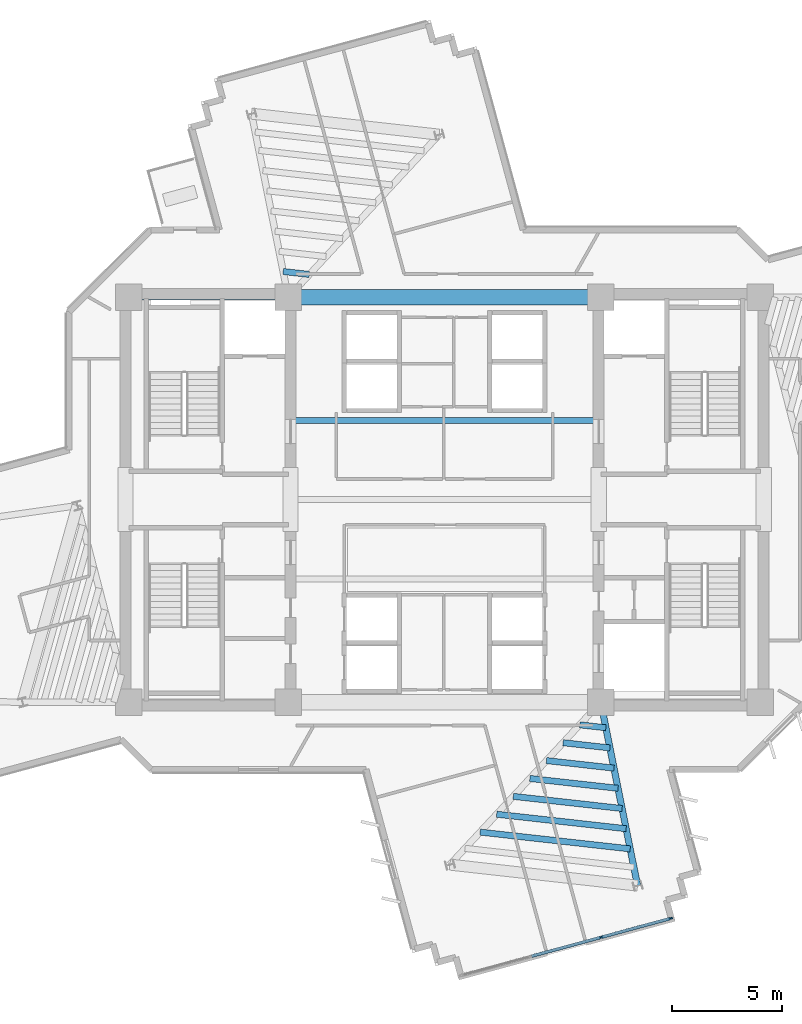
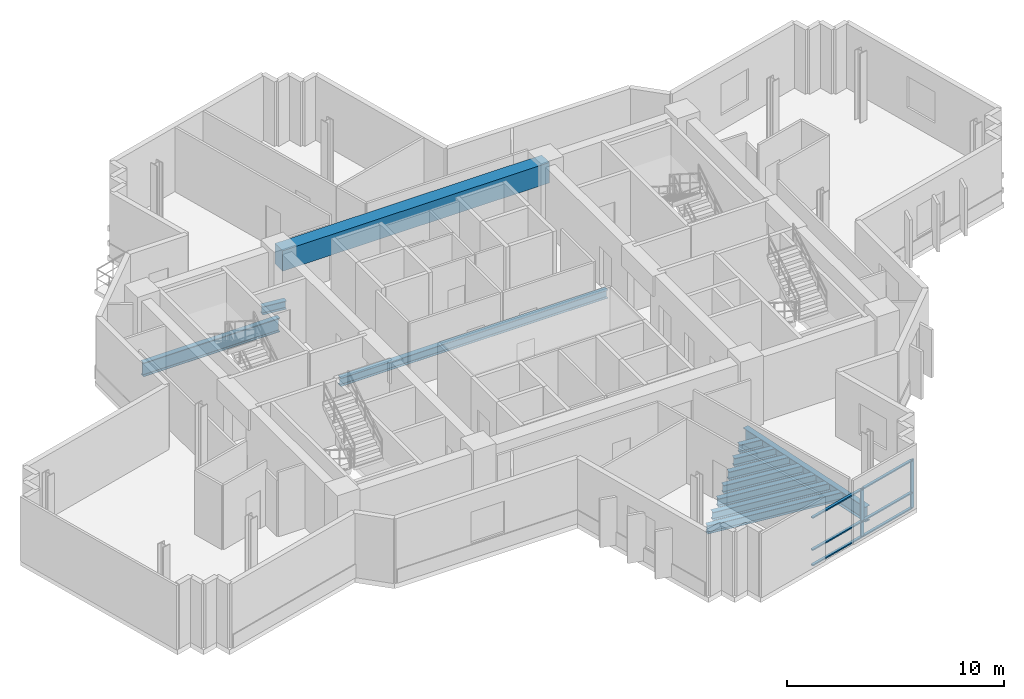
# One storey, part 5 of 15: 12 beams, 8 members, 1 element without a shape of its own.
"""IFC4 building model written with IfcOpenShell, lengths in metres."""

from ifc_helpers import new_model, si_unit, direction, frame, origin, origin_2d, place, context, subcontext, project, spatial, rectangle, i_section, extrude, source, transform, mapped, material, layer, layer_set, material_profile, profile_set, type_object, element, aggregate, save


model = new_model("IFC4")

# Units and contexts
model_context = context("Model", 3, precision=1e-05, world=origin(), true_north=direction((0.0, 1.0)))
body_context = subcontext(model_context, "Body", "Model", "MODEL_VIEW")
ifc_project = project(units=[si_unit("LENGTHUNIT", "METRE"), si_unit("AREAUNIT", "SQUARE_METRE"), si_unit("VOLUMEUNIT", "CUBIC_METRE"), si_unit("PLANEANGLEUNIT", "RADIAN"), si_unit("MASSUNIT", "GRAM", prefix="KILO")], contexts=[model_context])

# Site, building, storey
site_placement = place(None, origin())
site = spatial("IfcSite", under=ifc_project, at=site_placement, CompositionType="ELEMENT")
building_placement = place(site_placement, origin())
building = spatial("IfcBuilding", under=site, at=building_placement, Name="Zahravan Cultural Tower", CompositionType="ELEMENT")
storey_placement = place(building_placement, frame((0.0, 0.0, 194.10009765625)))
storey = spatial("IfcBuildingStorey", under=building, at=storey_placement, Name="L45", CompositionType="ELEMENT", Elevation=194.10009765625)

# Beams
ifc_material_1 = material(Name="Concrete C50/60", Category="concrete")
ifc_material_profile_1 = material_profile(ifc_material_1, rectangle(XDim=0.699951171875, YDim=1.14990234375, at=origin_2d()), Name="RC700X1150")
ifc_profile_set_1 = profile_set([ifc_material_profile_1], Name="Concrete C50/60")
beam_type_1 = type_object("IfcBeamType", Name="BM-LN-RC700X1150", PredefinedType="LINTEL", material=ifc_profile_set_1)
shared_shape_1 = source(origin(), body_context, "Body", "SweptSolid", [
    extrude(rectangle(XDim=0.699951171875, YDim=1.14990234375, at=origin_2d()), origin(), (0.0, 0.0, 1.0), 14.2001953125),
])
beam_1_placement = place(storey_placement, frame((28.89990234375, 36.199951171875, 3.044921875), z_axis=(1.0, 0.0, 0.0), x_axis=(0.0, 1.0, 0.0)))
element("IfcBeam", 1, at=beam_1_placement, inside=storey, type_object=beam_type_1, Name="L45 Beam LN-L45-N", PredefinedType="LINTEL", context=body_context, shape_type="MappedRepresentation", body=[
    mapped(shared_shape_1, transform((0.0, 0.0, 0.0), x_axis=(1.0, 0.0, 0.0), y_axis=(0.0, 1.0, 0.0), z_axis=(0.0, 0.0, 1.0), scale=1.0)),
])
ifc_material_2 = material(Name="Steel ASTM A992 Grade 50", Category="steel")
ifc_material_profile_2 = material_profile(ifc_material_2, i_section(OverallWidth=0.26611328125, OverallDepth=0.780029296875, WebThickness=0.0166015625, FlangeThickness=0.030029296875, FilletRadius=0.01904296875, at=origin_2d()), Name="W30X148")
ifc_profile_set_2 = profile_set([ifc_material_profile_2], Name="Steel ASTM A992 Grade 50")
beam_type_2 = type_object("IfcBeamType", Name="BM-G-W30X148", PredefinedType="BEAM", material=ifc_profile_set_2)
shared_shape_2 = source(origin(), body_context, "Body", "SweptSolid", [
    extrude(i_section(OverallWidth=0.26611328125, OverallDepth=0.780029296875, WebThickness=0.0166015625, FlangeThickness=0.030029296875, FilletRadius=0.01904296875, at=origin_2d()), origin(), (0.0, 0.0, 1.0), 7.25),
])
beam_2_placement = place(storey_placement, frame((21.64990234375, 36.199951171875, -0.670166015625), z_axis=(1.0, 0.0, 0.0), x_axis=(0.0, 1.0, 0.0)))
element("IfcBeam", 2, at=beam_2_placement, inside=storey, type_object=beam_type_2, Name="L45 Beam BG-L45-02", PredefinedType="BEAM", context=body_context, shape_type="MappedRepresentation", body=[
    mapped(shared_shape_2, transform((0.0, 0.0, 0.0), x_axis=(1.0, 0.0, 0.0), y_axis=(0.0, 1.0, 0.0), z_axis=(0.0, 0.0, 1.0), scale=1.0)),
])
ifc_material_profile_3 = material_profile(ifc_material_2, i_section(OverallWidth=0.29296875, OverallDepth=0.845947265625, WebThickness=0.015380859375, FlangeThickness=0.0244140625, FilletRadius=0.02001953125, at=origin_2d()), Name="W33X141")
ifc_profile_set_3 = profile_set([ifc_material_profile_3], Name="Steel ASTM A992 Grade 50")
beam_type_3 = type_object("IfcBeamType", Name="BM-G-W33X141", PredefinedType="BEAM", material=ifc_profile_set_3)
shared_shape_3 = source(origin(), body_context, "Body", "SweptSolid", [
    extrude(i_section(OverallWidth=0.29296875, OverallDepth=0.845947265625, WebThickness=0.015380859375, FlangeThickness=0.0244140625, FilletRadius=0.02001953125, at=origin_2d()), origin(), (0.0, 0.0, 1.0), 8.50732421875),
])
beam_3_placement = place(storey_placement, frame((43.10009765625, 17.800048828125, -0.703125), z_axis=(0.196524514012, -0.980498911469, 0.0), x_axis=(0.980498911469, 0.196524514012, 0.0)))
element("IfcBeam", 3, at=beam_3_placement, inside=storey, type_object=beam_type_3, Name="L45 Beam BG-L45-10", PredefinedType="BEAM", context=body_context, shape_type="MappedRepresentation", body=[
    mapped(shared_shape_3, transform((0.0, 0.0, 0.0), x_axis=(1.0, 0.0, 0.0), y_axis=(0.0, 1.0, 0.0), z_axis=(0.0, 0.0, 1.0), scale=1.0)),
])
ifc_material_profile_4 = material_profile(ifc_material_2, i_section(OverallWidth=0.280029296875, OverallDepth=0.462890625, WebThickness=0.0107421875, FlangeThickness=0.017333984375, FilletRadius=0.012939453125, at=origin_2d()), Name="W18X76")
ifc_profile_set_4 = profile_set([ifc_material_profile_4], Name="Steel ASTM A992 Grade 50")
beam_type_4 = type_object("IfcBeamType", Name="BM-J-W18X76", PredefinedType="JOIST", material=ifc_profile_set_4)
shared_shape_4 = source(origin(), body_context, "Body", "SweptSolid", [
    extrude(i_section(OverallWidth=0.280029296875, OverallDepth=0.462890625, WebThickness=0.0107421875, FlangeThickness=0.017333984375, FilletRadius=0.012939453125, at=origin_2d()), origin(), (0.0, 0.0, 1.0), 14.2001953125),
])
beam_4_placement = place(storey_placement, frame((28.89990234375, 30.60009765625, -0.51171875), z_axis=(1.0, 0.0, 0.0), x_axis=(0.0, 1.0, 0.0)))
element("IfcBeam", 4, at=beam_4_placement, inside=storey, type_object=beam_type_4, Name="L45 Beam BJ-L45-25", PredefinedType="JOIST", context=body_context, shape_type="MappedRepresentation", body=[
    mapped(shared_shape_4, transform((0.0, 0.0, 0.0), x_axis=(1.0, 0.0, 0.0), y_axis=(0.0, 1.0, 0.0), z_axis=(0.0, 0.0, 1.0), scale=1.0)),
])
shared_shape_5 = source(origin(), body_context, "Body", "SweptSolid", [
    extrude(i_section(OverallWidth=0.280029296875, OverallDepth=0.462890625, WebThickness=0.0107421875, FlangeThickness=0.017333984375, FilletRadius=0.012939453125, at=origin_2d()), origin(), (0.0, 0.0, 1.0), 1.201171875),
])
for number, where, z_axis, x_axis, name in (
    (5, (42.140380859375, 16.765625, -0.51171875), (0.99379916149, -0.111190047317, 0.0), (0.111190047317, 0.99379916149, 0.0), "L45 Beam BJ-L45-34"),
    (6, (29.859619140625, 37.234375, -0.51171875), (-0.99379916149, 0.111190047317, 0.0), (-0.111190047317, -0.99379916149, 0.0), "L45 Beam BJ-L45-50"),
):
    element("IfcBeam", number, at=place(storey_placement, frame(where, z_axis=z_axis, x_axis=x_axis)), inside=storey, type_object=beam_type_4, Name=name, PredefinedType="JOIST", context=body_context, shape_type="MappedRepresentation", body=[
        mapped(shared_shape_5, transform((0.0, 0.0, 0.0), x_axis=(1.0, 0.0, 0.0), y_axis=(0.0, 1.0, 0.0), z_axis=(0.0, 0.0, 1.0), scale=1.0)),
    ])
shared_shape_6 = source(origin(), body_context, "Body", "SweptSolid", [
    extrude(i_section(OverallWidth=0.280029296875, OverallDepth=0.462890625, WebThickness=0.0107421875, FlangeThickness=0.017333984375, FilletRadius=0.012939453125, at=origin_2d()), origin(), (0.0, 0.0, 1.0), 2.144775390625),
])
beam_5_placement = place(storey_placement, frame((41.386474609375, 15.953125, -0.51171875), z_axis=(0.993797370806, -0.111206051, 0.0), x_axis=(0.111206051, 0.993797370806, 0.0)))
element("IfcBeam", 7, at=beam_5_placement, inside=storey, type_object=beam_type_4, Name="L45 Beam BJ-L45-35", PredefinedType="JOIST", context=body_context, shape_type="MappedRepresentation", body=[
    mapped(shared_shape_6, transform((0.0, 0.0, 0.0), x_axis=(1.0, 0.0, 0.0), y_axis=(0.0, 1.0, 0.0), z_axis=(0.0, 0.0, 1.0), scale=1.0)),
])
shared_shape_7 = source(origin(), body_context, "Body", "SweptSolid", [
    extrude(i_section(OverallWidth=0.280029296875, OverallDepth=0.462890625, WebThickness=0.0107421875, FlangeThickness=0.017333984375, FilletRadius=0.012939453125, at=origin_2d()), origin(), (0.0, 0.0, 1.0), 3.088623046875),
])
beam_6_placement = place(storey_placement, frame((40.63232421875, 15.140380859375, -0.51171875), z_axis=(0.993805407368, -0.111134208443, 0.0), x_axis=(0.111134208443, 0.993805407368, 0.0)))
element("IfcBeam", 8, at=beam_6_placement, inside=storey, type_object=beam_type_4, Name="L45 Beam BJ-L45-36", PredefinedType="JOIST", context=body_context, shape_type="MappedRepresentation", body=[
    mapped(shared_shape_7, transform((0.0, 0.0, 0.0), x_axis=(1.0, 0.0, 0.0), y_axis=(0.0, 1.0, 0.0), z_axis=(0.0, 0.0, 1.0), scale=1.0)),
])
shared_shape_8 = source(origin(), body_context, "Body", "SweptSolid", [
    extrude(i_section(OverallWidth=0.280029296875, OverallDepth=0.462890625, WebThickness=0.0107421875, FlangeThickness=0.017333984375, FilletRadius=0.012939453125, at=origin_2d()), origin(), (0.0, 0.0, 1.0), 4.0322265625),
])
beam_7_placement = place(storey_placement, frame((39.87841796875, 14.327880859375, -0.51171875), z_axis=(0.993802245601, -0.11116247855, 0.0), x_axis=(0.11116247855, 0.993802245601, 0.0)))
element("IfcBeam", 9, at=beam_7_placement, inside=storey, type_object=beam_type_4, Name="L45 Beam BJ-L45-37", PredefinedType="JOIST", context=body_context, shape_type="MappedRepresentation", body=[
    mapped(shared_shape_8, transform((0.0, 0.0, 0.0), x_axis=(1.0, 0.0, 0.0), y_axis=(0.0, 1.0, 0.0), z_axis=(0.0, 0.0, 1.0), scale=1.0)),
])
shared_shape_9 = source(origin(), body_context, "Body", "SweptSolid", [
    extrude(i_section(OverallWidth=0.280029296875, OverallDepth=0.462890625, WebThickness=0.0107421875, FlangeThickness=0.017333984375, FilletRadius=0.012939453125, at=origin_2d()), origin(), (0.0, 0.0, 1.0), 4.97607421875),
])
beam_8_placement = place(storey_placement, frame((39.124267578125, 13.51513671875, -0.51171875), z_axis=(0.993806308517, -0.111126149723, 0.0), x_axis=(0.111126149723, 0.993806308517, 0.0)))
element("IfcBeam", 10, at=beam_8_placement, inside=storey, type_object=beam_type_4, Name="L45 Beam BJ-L45-38", PredefinedType="JOIST", context=body_context, shape_type="MappedRepresentation", body=[
    mapped(shared_shape_9, transform((0.0, 0.0, 0.0), x_axis=(1.0, 0.0, 0.0), y_axis=(0.0, 1.0, 0.0), z_axis=(0.0, 0.0, 1.0), scale=1.0)),
])
shared_shape_10 = source(origin(), body_context, "Body", "SweptSolid", [
    extrude(i_section(OverallWidth=0.280029296875, OverallDepth=0.462890625, WebThickness=0.0107421875, FlangeThickness=0.017333984375, FilletRadius=0.012939453125, at=origin_2d()), origin(), (0.0, 0.0, 1.0), 5.919921875),
])
beam_9_placement = place(storey_placement, frame((38.370361328125, 12.70263671875, -0.51171875), z_axis=(0.993804520866, -0.111142135602, 0.0), x_axis=(0.111142135602, 0.993804520866, 0.0)))
element("IfcBeam", 11, at=beam_9_placement, inside=storey, type_object=beam_type_4, Name="L45 Beam BJ-L45-39", PredefinedType="JOIST", context=body_context, shape_type="MappedRepresentation", body=[
    mapped(shared_shape_10, transform((0.0, 0.0, 0.0), x_axis=(1.0, 0.0, 0.0), y_axis=(0.0, 1.0, 0.0), z_axis=(0.0, 0.0, 1.0), scale=1.0)),
])
shared_shape_11 = source(origin(), body_context, "Body", "SweptSolid", [
    extrude(i_section(OverallWidth=0.280029296875, OverallDepth=0.462890625, WebThickness=0.0107421875, FlangeThickness=0.017333984375, FilletRadius=0.012939453125, at=origin_2d()), origin(), (0.0, 0.0, 1.0), 6.86376953125),
])
beam_10_placement = place(storey_placement, frame((37.6162109375, 11.889892578125, -0.51171875), z_axis=(0.993803224695, -0.111153725024, 0.0), x_axis=(0.111153725024, 0.993803224695, 0.0)))
element("IfcBeam", 12, at=beam_10_placement, inside=storey, type_object=beam_type_4, Name="L45 Beam BJ-L45-40", PredefinedType="JOIST", context=body_context, shape_type="MappedRepresentation", body=[
    mapped(shared_shape_11, transform((0.0, 0.0, 0.0), x_axis=(1.0, 0.0, 0.0), y_axis=(0.0, 1.0, 0.0), z_axis=(0.0, 0.0, 1.0), scale=1.0)),
])

# Curtain wall, members
ifc_material_3 = material(Name="Anodised bronze-aluminium mullion", Category="aluminium")
ifc_layer = layer(ifc_material_3, 0.179931640625)
ifc_layer_set = layer_set([ifc_layer], Name="Anodised bronze-aluminium mullion")
curtain_wall_type = type_object("IfcCurtainWallType", Name="CW-SYS-3", PredefinedType="USERDEFINED", material=ifc_layer_set)
curtain_wall_placement = place(storey_placement, origin())
curtain_wall = element("IfcCurtainWall", 13, at=curtain_wall_placement, inside=storey, type_object=curtain_wall_type, Name="L45 Recessed Curtain Wall CW-3.1", ObjectType="RECESSED GLAZING", PredefinedType="USERDEFINED")
ifc_material_profile_5 = material_profile(ifc_material_3, rectangle(XDim=0.070068359375, YDim=0.179931640625, at=origin_2d()), Name="AL-M70X180")
ifc_profile_set_5 = profile_set([ifc_material_profile_5], Name="Anodised bronze-aluminium mullion")
member_type_1 = type_object("IfcMemberType", Name="CWM-CW-3", PredefinedType="MULLION", material=ifc_profile_set_5)
shared_shape_12 = source(origin(), body_context, "Body", "SweptSolid", [
    extrude(rectangle(XDim=0.070068359375, YDim=0.179931640625, at=origin_2d()), origin(), (0.0, 0.0, 1.0), 2.739990234375),
])
member_1_placement = place(storey_placement, frame((46.2744140625, 7.968017578125, 0.0), z_axis=(0.0, 0.0, 1.0), x_axis=(0.262186687636, -0.96501717126, 0.0)))
member_1 = element("IfcMember", 14, at=member_1_placement, type_object=member_type_1, Name="CW-3 mullion 1", PredefinedType="MULLION", context=body_context, shape_type="MappedRepresentation", body=[
    mapped(shared_shape_12, transform((0.0, 0.0, 0.0), x_axis=(1.0, 0.0, 0.0), y_axis=(0.0, 1.0, 0.0), z_axis=(0.0, 0.0, 1.0), scale=1.0)),
])
member_2_placement = place(storey_placement, frame((43.1171875, 7.1103515625, 0.0), z_axis=(0.0, 0.0, 1.0), x_axis=(0.262186687636, -0.96501717126, 0.0)))
member_2 = element("IfcMember", 15, at=member_2_placement, type_object=member_type_1, Name="CW-3 mullion 2", PredefinedType="MULLION", context=body_context, shape_type="MappedRepresentation", body=[
    mapped(shared_shape_12, transform((0.0, 0.0, 0.0), x_axis=(1.0, 0.0, 0.0), y_axis=(0.0, 1.0, 0.0), z_axis=(0.0, 0.0, 1.0), scale=1.0)),
])
ifc_material_profile_6 = material_profile(ifc_material_3, rectangle(XDim=0.139892578125, YDim=0.070068359375, at=origin_2d()), Name="AL-T70X140")
ifc_profile_set_6 = profile_set([ifc_material_profile_6], Name="Anodised bronze-aluminium mullion")
member_type_2 = type_object("IfcMemberType", Name="CWT-CW-3", PredefinedType="USERDEFINED", material=ifc_profile_set_6)
shared_shape_13 = source(origin(), body_context, "Body", "SweptSolid", [
    extrude(rectangle(XDim=0.139892578125, YDim=0.070068359375, at=origin_2d()), origin(), (0.0, 0.0, 1.0), 3.23681640625),
])
member_3_placement = place(storey_placement, frame((43.08349609375, 7.10107421875, 0.034912109375), z_axis=(-0.965017503384, -0.2621854652, 0.0), x_axis=(0.2621854652, -0.965017503384, 0.0)))
member_3 = element("IfcMember", 16, at=member_3_placement, type_object=member_type_2, Name="CW-3 transom 2.1", ObjectType="TRANSOM", PredefinedType="USERDEFINED", context=body_context, shape_type="MappedRepresentation", body=[
    mapped(shared_shape_13, transform((0.0, 0.0, 0.0), x_axis=(1.0, 0.0, 0.0), y_axis=(0.0, 1.0, 0.0), z_axis=(0.0, 0.0, 1.0), scale=1.0)),
])
member_4_placement = place(storey_placement, frame((43.08349609375, 7.10107421875, 0.89990234375), z_axis=(-0.965017503384, -0.2621854652, 0.0), x_axis=(0.2621854652, -0.965017503384, 0.0)))
member_4 = element("IfcMember", 17, at=member_4_placement, type_object=member_type_2, Name="CW-3 transom 2.2", ObjectType="TRANSOM", PredefinedType="USERDEFINED", context=body_context, shape_type="MappedRepresentation", body=[
    mapped(shared_shape_13, transform((0.0, 0.0, 0.0), x_axis=(1.0, 0.0, 0.0), y_axis=(0.0, 1.0, 0.0), z_axis=(0.0, 0.0, 1.0), scale=1.0)),
])
member_5_placement = place(storey_placement, frame((43.08349609375, 7.10107421875, 2.704833984375), z_axis=(-0.965017503384, -0.2621854652, 0.0), x_axis=(0.2621854652, -0.965017503384, 0.0)))
member_5 = element("IfcMember", 18, at=member_5_placement, type_object=member_type_2, Name="CW-3 transom 2.3", ObjectType="TRANSOM", PredefinedType="USERDEFINED", context=body_context, shape_type="MappedRepresentation", body=[
    mapped(shared_shape_13, transform((0.0, 0.0, 0.0), x_axis=(1.0, 0.0, 0.0), y_axis=(0.0, 1.0, 0.0), z_axis=(0.0, 0.0, 1.0), scale=1.0)),
])
shared_shape_14 = source(origin(), body_context, "Body", "SweptSolid", [
    extrude(rectangle(XDim=0.139892578125, YDim=0.070068359375, at=origin_2d()), origin(), (0.0, 0.0, 1.0), 3.201904296875),
])
member_6_placement = place(storey_placement, frame((46.24072265625, 7.958740234375, 0.034912109375), z_axis=(-0.965027280118, -0.262149477643, 0.0), x_axis=(0.262149477643, -0.965027280118, 0.0)))
member_6 = element("IfcMember", 19, at=member_6_placement, type_object=member_type_2, Name="CW-3 transom 1.1", ObjectType="TRANSOM", PredefinedType="USERDEFINED", context=body_context, shape_type="MappedRepresentation", body=[
    mapped(shared_shape_14, transform((0.0, 0.0, 0.0), x_axis=(1.0, 0.0, 0.0), y_axis=(0.0, 1.0, 0.0), z_axis=(0.0, 0.0, 1.0), scale=1.0)),
])
member_7_placement = place(storey_placement, frame((46.24072265625, 7.958740234375, 0.89990234375), z_axis=(-0.965027280118, -0.262149477643, 0.0), x_axis=(0.262149477643, -0.965027280118, 0.0)))
member_7 = element("IfcMember", 20, at=member_7_placement, type_object=member_type_2, Name="CW-3 transom 1.2", ObjectType="TRANSOM", PredefinedType="USERDEFINED", context=body_context, shape_type="MappedRepresentation", body=[
    mapped(shared_shape_14, transform((0.0, 0.0, 0.0), x_axis=(1.0, 0.0, 0.0), y_axis=(0.0, 1.0, 0.0), z_axis=(0.0, 0.0, 1.0), scale=1.0)),
])
member_8_placement = place(storey_placement, frame((46.24072265625, 7.958740234375, 2.704833984375), z_axis=(-0.965027280118, -0.262149477643, 0.0), x_axis=(0.262149477643, -0.965027280118, 0.0)))
member_8 = element("IfcMember", 21, at=member_8_placement, type_object=member_type_2, Name="CW-3 transom 1.3", ObjectType="TRANSOM", PredefinedType="USERDEFINED", context=body_context, shape_type="MappedRepresentation", body=[
    mapped(shared_shape_14, transform((0.0, 0.0, 0.0), x_axis=(1.0, 0.0, 0.0), y_axis=(0.0, 1.0, 0.0), z_axis=(0.0, 0.0, 1.0), scale=1.0)),
])
aggregate(curtain_wall, [member_1, member_2, member_6, member_7, member_8, member_3, member_4, member_5])

save(model, "model.ifc")
